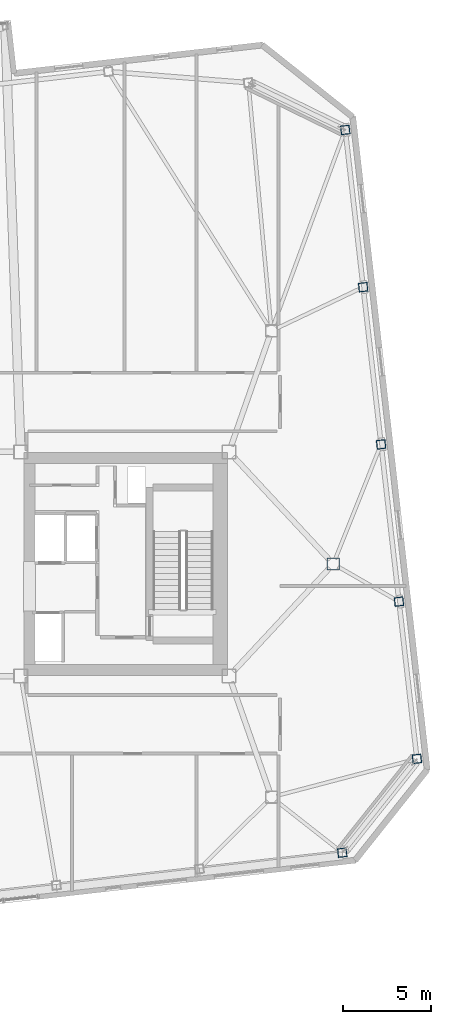
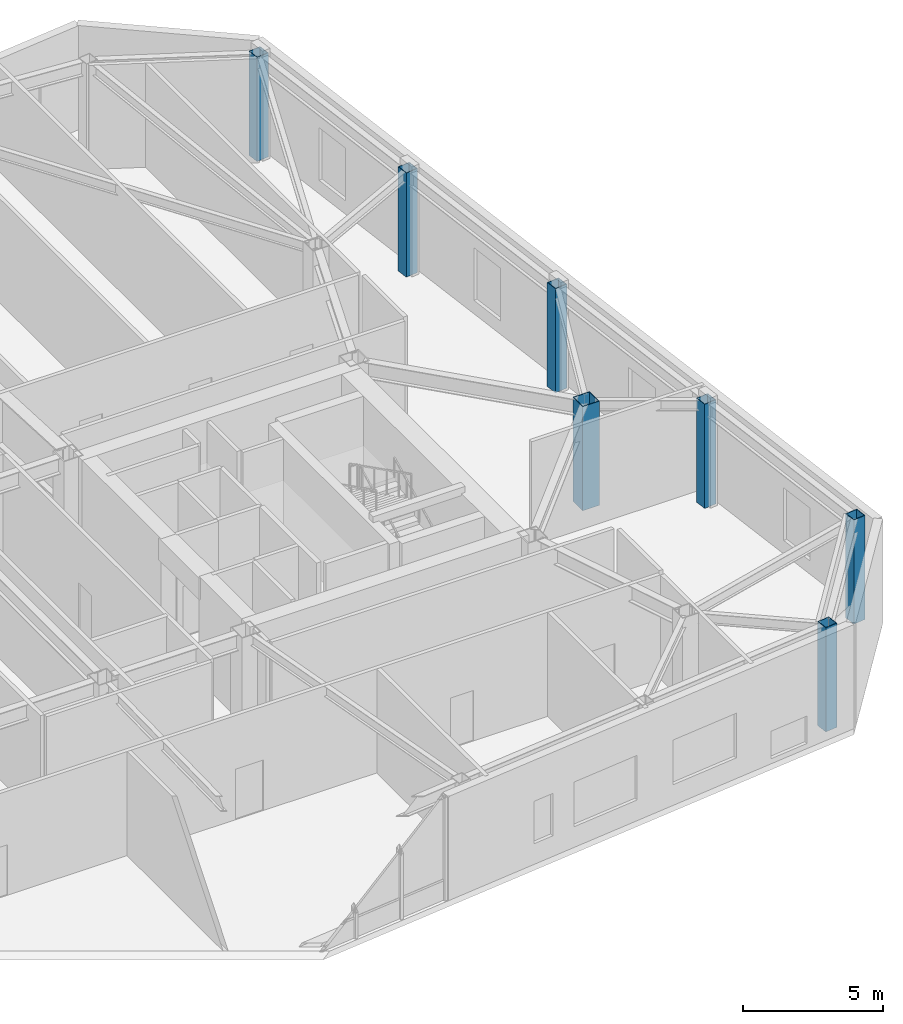
# One storey, part 4 of 21: 7 columns.
"""IFC4 building model written with IfcOpenShell, lengths in metres."""

from ifc_helpers import new_model, si_unit, direction, frame, origin, origin_2d, place, context, subcontext, project, spatial, hollow_rectangle, extrude, material, material_profile, profile_set, type_object, element, save


model = new_model("IFC4")

# Units and contexts
model_context = context("Model", 3, precision=1e-05, world=origin(), true_north=direction((0.0, 1.0)))
body_context = subcontext(model_context, "Body", "Model", "MODEL_VIEW")
ifc_project = project(units=[si_unit("LENGTHUNIT", "METRE"), si_unit("AREAUNIT", "SQUARE_METRE"), si_unit("VOLUMEUNIT", "CUBIC_METRE"), si_unit("PLANEANGLEUNIT", "RADIAN"), si_unit("MASSUNIT", "GRAM", prefix="KILO")], contexts=[model_context])

# Site, building, storey
site_placement = place(None, origin())
site = spatial("IfcSite", under=ifc_project, at=site_placement, CompositionType="ELEMENT")
building_placement = place(site_placement, origin())
building = spatial("IfcBuilding", under=site, at=building_placement, Name="Tavrogorsk Clinical Tower", CompositionType="ELEMENT")
storey_placement = place(building_placement, frame((0.0, 0.0, 238.199951171875)))
storey = spatial("IfcBuildingStorey", under=building, at=storey_placement, Name="L55", CompositionType="ELEMENT", Elevation=238.199951171875)

# Columns
ifc_material_1 = material(Name="Structural steel S440", Category="steel")
ifc_material_profile_1 = material_profile(ifc_material_1, hollow_rectangle(XDim=0.699951171875, YDim=0.699951171875, WallThickness=0.031982421875, at=origin_2d()), Name="BOX-700x700x32")
ifc_profile_set_1 = profile_set([ifc_material_profile_1], Name="Structural steel S440")
column_type_1 = type_object("IfcColumnType", Name="MegaCol_BOX700", PredefinedType="COLUMN", material=ifc_profile_set_1)
column_placement = place(storey_placement, frame((28.0, 0.0, 0.0), z_axis=(0.0, 0.0, 1.0), x_axis=(1.0, 0.0, 0.0)))
element("IfcColumn", 1, at=column_placement, inside=storey, type_object=column_type_1, Name="L55 Spine Pilotis Column MC-P6", PredefinedType="COLUMN", context=body_context, shape_type="SweptSolid", body=[
    extrude(hollow_rectangle(XDim=0.699951171875, YDim=0.699951171875, WallThickness=0.031982421875, at=origin_2d()), origin(), (0.0, 0.0, 1.0), 4.5400390625),
])
ifc_material_2 = material(Name="Structural steel S440", Category="steel")
ifc_material_profile_2 = material_profile(ifc_material_2, hollow_rectangle(XDim=0.5, YDim=0.5, WallThickness=0.02490234375, at=origin_2d()), Name="BOX-500x500x25")
ifc_profile_set_2 = profile_set([ifc_material_profile_2], Name="Structural steel S440")
column_type_2 = type_object("IfcColumnType", Name="PerimCol_B4_BOX500", PredefinedType="COLUMN", material=ifc_profile_set_2)
for number, where, z_axis, x_axis, name in (
    (2, (28.508544921875, -16.345458984375, 0.0), (0.0, 0.0, 1.0), (0.993571855677, 0.113203213768, 0.0), "L55 Perimeter Column S8"),
    (3, (32.734375, -11.032958984375, 0.0), (0.0, 0.0, 1.0), (0.993571855677, 0.113203213768, 0.0), "L55 Perimeter Column E1"),
    (4, (31.72021484375, -2.130615234375, 0.0), (0.0, 0.0, 1.0), (0.993571855677, 0.113203213768, 0.0), "L55 Perimeter Column E2"),
    (5, (30.705810546875, 6.77197265625, 0.0), (0.0, 0.0, 1.0), (0.993571855677, 0.113203213768, 0.0), "L55 Perimeter Column E3"),
    (6, (29.69140625, 15.67431640625, 0.0), (0.0, 0.0, 1.0), (0.993571855677, 0.113203213768, 0.0), "L55 Perimeter Column E4"),
    (7, (28.67724609375, 24.57666015625, 0.0), (0.0, 0.0, 1.0), (0.993571855677, 0.113203213768, 0.0), "L55 Perimeter Column E5"),
):
    element("IfcColumn", number, at=place(storey_placement, frame(where, z_axis=z_axis, x_axis=x_axis)), inside=storey, type_object=column_type_2, Name=name, PredefinedType="COLUMN", context=body_context, shape_type="SweptSolid", body=[
        extrude(hollow_rectangle(XDim=0.5, YDim=0.5, WallThickness=0.02490234375, at=origin_2d()), origin(), (0.0, 0.0, 1.0), 4.5400390625),
    ])

save(model, "model.ifc")
